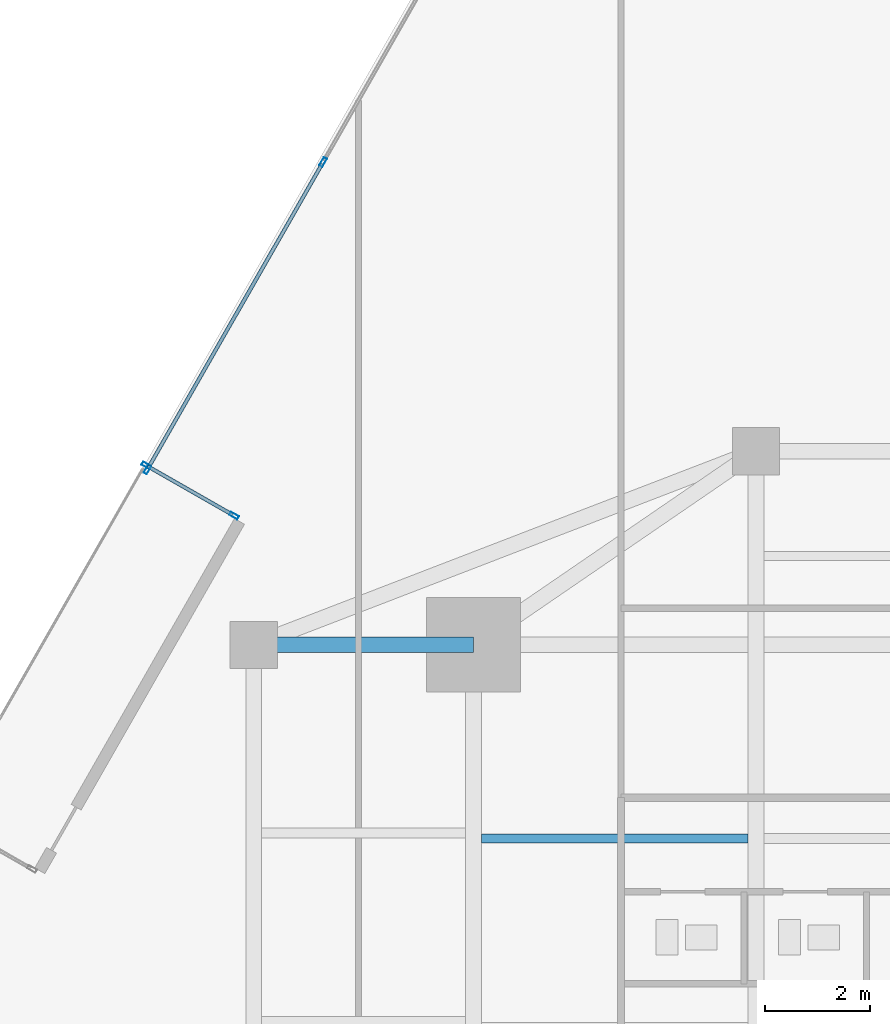
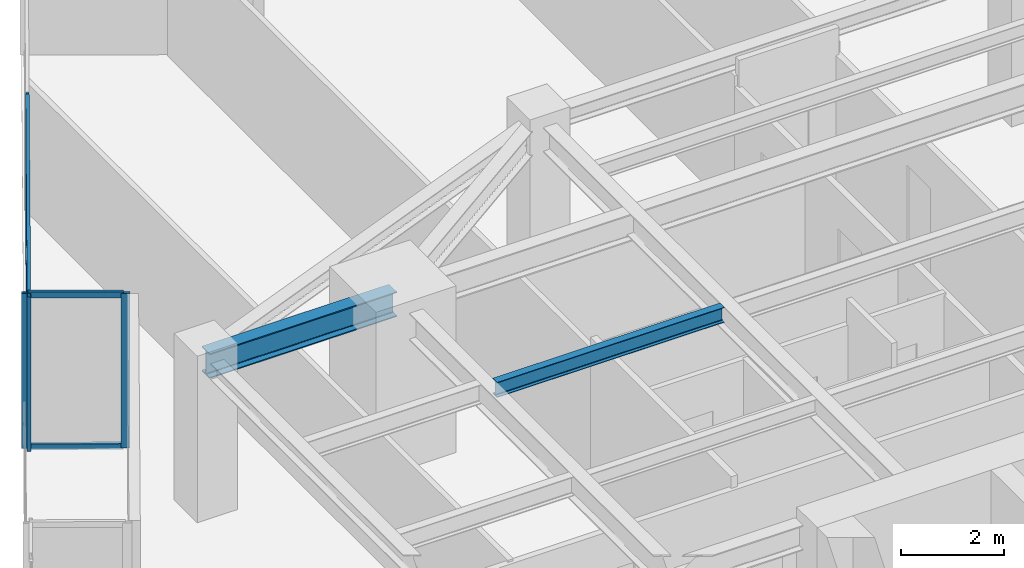
# One storey, part 13 of 24: 8 members, 2 beams, 2 elements without a shape of their own.
"""IFC4 building model written with IfcOpenShell, lengths in metres."""

from ifc_helpers import new_model, si_unit, direction, frame, origin, origin_2d, place, context, subcontext, project, spatial, hollow_rectangle, i_section, extrude, source, transform, mapped, material, material_profile, profile_set, type_object, type_shapes, element, aggregate, save


model = new_model("IFC4")

# Units and contexts
model_context = context("Model", 3, precision=1e-05, world=origin(), true_north=direction((0.0, 1.0)))
body_context = subcontext(model_context, "Body", "Model", "MODEL_VIEW")
ifc_project = project(units=[si_unit("LENGTHUNIT", "METRE"), si_unit("AREAUNIT", "SQUARE_METRE"), si_unit("VOLUMEUNIT", "CUBIC_METRE"), si_unit("PLANEANGLEUNIT", "RADIAN"), si_unit("MASSUNIT", "GRAM", prefix="KILO")], contexts=[model_context])

# Site, building, storey
site_placement = place(None, origin())
site = spatial("IfcSite", under=ifc_project, at=site_placement, CompositionType="ELEMENT")
building_placement = place(site_placement, origin())
building = spatial("IfcBuilding", under=site, at=building_placement, Name="Krantzveldt Concourse Tower", CompositionType="ELEMENT")
storey_placement = place(building_placement, frame((0.0, 0.0, 162.0)))
storey = spatial("IfcBuildingStorey", under=building, at=storey_placement, Name="L39", CompositionType="ELEMENT", Elevation=162.0)

# Beams
ifc_material_1 = material(Name="Steel S355JR", Category="steel")
ifc_material_profile_1 = material_profile(ifc_material_1, i_section(OverallWidth=0.300048828125, OverallDepth=0.590087890625, WebThickness=0.012939453125, FlangeThickness=0.02490234375, FilletRadius=0.027099609375, at=origin_2d()), Name="Steel S355JR", Category="steel")
ifc_profile_set_1 = profile_set([ifc_material_profile_1], Name="Steel S355JR - HEA 600")
beam_type_1 = type_object("IfcBeamType", Name="BM-B-HEA600", PredefinedType="BEAM", material=ifc_profile_set_1)
shared_shape_1 = source(origin(), body_context, "Body", "SweptSolid", [
    extrude(i_section(OverallWidth=0.300048828125, OverallDepth=0.590087890625, WebThickness=0.012939453125, FlangeThickness=0.02490234375, FilletRadius=0.027099609375, at=origin_2d()), origin(), (0.0, 0.0, 1.0), 4.199951171875),
])
type_shapes(beam_type_1, [shared_shape_1])
beam_1_placement = place(storey_placement, frame((21.0, 37.5, 3.375), z_axis=(1.0, 0.0, 0.0), x_axis=(0.0, 1.0, 0.0)))
element("IfcBeam", 1, at=beam_1_placement, inside=storey, type_object=beam_type_1, Name="L39 Tower Girder BR-RL3", PredefinedType="BEAM", context=body_context, shape_type="MappedRepresentation", body=[
    mapped(shared_shape_1, transform((0.0, 0.0, 0.0), x_axis=(1.0, 0.0, 0.0), y_axis=(0.0, 1.0, 0.0), z_axis=(0.0, 0.0, 1.0), scale=1.0)),
])
ifc_material_profile_2 = material_profile(ifc_material_1, i_section(OverallWidth=0.169921875, OverallDepth=0.360107421875, WebThickness=0.008056640625, FlangeThickness=0.0126953125, FilletRadius=0.01806640625, at=origin_2d()), Name="Steel S355JR", Category="steel")
ifc_profile_set_2 = profile_set([ifc_material_profile_2], Name="Steel S355JR - IPE 360")
beam_type_2 = type_object("IfcBeamType", Name="BM-J-IPE360", PredefinedType="JOIST", material=ifc_profile_set_2)
shared_shape_2 = source(origin(), body_context, "Body", "SweptSolid", [
    extrude(i_section(OverallWidth=0.169921875, OverallDepth=0.360107421875, WebThickness=0.008056640625, FlangeThickness=0.0126953125, FilletRadius=0.01806640625, at=origin_2d()), origin(), (0.0, 0.0, 1.0), 5.099853515625),
])
type_shapes(beam_type_2, [shared_shape_2])
beam_2_placement = place(storey_placement, frame((25.35009765625, 33.800048828125, 3.489990234375), z_axis=(1.0, 0.0, 0.0), x_axis=(0.0, 1.0, 0.0)))
element("IfcBeam", 2, at=beam_2_placement, inside=storey, type_object=beam_type_2, Name="L39 Secondary Floor Joist JN-W2", PredefinedType="JOIST", context=body_context, shape_type="MappedRepresentation", body=[
    mapped(shared_shape_2, transform((0.0, 0.0, 0.0), x_axis=(1.0, 0.0, 0.0), y_axis=(0.0, 1.0, 0.0), z_axis=(0.0, 0.0, 1.0), scale=1.0)),
])

# Curtain wall, members
ifc_material_2 = material(Name="Anodised aluminium 6063-T6", Category="aluminium")
curtain_wall_type_1 = type_object("IfcCurtainWallType", Name="CW3", PredefinedType="USERDEFINED", material=ifc_material_2)
curtain_wall_1_placement = place(storey_placement, origin())
curtain_wall_1 = element("IfcCurtainWall", 3, at=curtain_wall_1_placement, inside=storey, type_object=curtain_wall_type_1, Name="CW-L39-F01", ObjectType="UNITISED CURTAIN WALL", PredefinedType="USERDEFINED")
ifc_material_profile_3 = material_profile(ifc_material_2, hollow_rectangle(XDim=0.070068359375, YDim=0.179931640625, WallThickness=0.0048828125, at=origin_2d()), Name="Anodised aluminium 6063-T6", Category="aluminium")
ifc_profile_set_3 = profile_set([ifc_material_profile_3], Name="Anodised aluminium 6063-T6 - ALU-MULL 180x70x5")
member_type_1 = type_object("IfcMemberType", Name="CW-MUL-180", PredefinedType="MULLION", material=ifc_profile_set_3)
shared_shape_3 = source(origin(), body_context, "Body", "SweptSolid", [
    extrude(hollow_rectangle(XDim=0.070068359375, YDim=0.179931640625, WallThickness=0.0048828125, at=origin_2d()), origin(), (0.0, 0.0, 1.0), 3.669921875),
])
type_shapes(member_type_1, [shared_shape_3])
member_1_placement = place(storey_placement, frame((22.324462890625, 46.725341796875, 0.0), z_axis=(0.0, 0.0, 1.0), x_axis=(0.868198885255, -0.496216379861, 0.0)))
member_1 = element("IfcMember", 4, at=member_1_placement, type_object=member_type_1, Name="CW-Z34 mullion 2", PredefinedType="MULLION", context=body_context, shape_type="MappedRepresentation", body=[
    mapped(shared_shape_3, transform((0.0, 0.0, 0.0), x_axis=(1.0, 0.0, 0.0), y_axis=(0.0, 1.0, 0.0), z_axis=(0.0, 0.0, 1.0), scale=1.0)),
])
member_2_placement = place(storey_placement, frame((18.967529296875, 40.85205078125, 0.0), z_axis=(0.0, 0.0, 1.0), x_axis=(0.868198885255, -0.496216379861, 0.0)))
member_2 = element("IfcMember", 5, at=member_2_placement, type_object=member_type_1, Name="CW-Z34 mullion 3", PredefinedType="MULLION", context=body_context, shape_type="MappedRepresentation", body=[
    mapped(shared_shape_3, transform((0.0, 0.0, 0.0), x_axis=(1.0, 0.0, 0.0), y_axis=(0.0, 1.0, 0.0), z_axis=(0.0, 0.0, 1.0), scale=1.0)),
])

curtain_wall_type_2 = type_object("IfcCurtainWallType", Name="CW6", PredefinedType="USERDEFINED", material=ifc_material_2)
curtain_wall_2_placement = place(storey_placement, origin())
curtain_wall_2 = element("IfcCurtainWall", 6, at=curtain_wall_2_placement, inside=storey, type_object=curtain_wall_type_2, Name="CW-L39-TR02", ObjectType="UNITISED CURTAIN WALL", PredefinedType="USERDEFINED")
member_3_placement = place(storey_placement, frame((18.947021484375, 40.927001953125, 0.0), z_axis=(0.0, 0.0, 1.0), x_axis=(0.496218628357, 0.86819760013, 0.0)))
member_3 = element("IfcMember", 7, at=member_3_placement, type_object=member_type_1, Name="CW-TERR mullion 1", PredefinedType="MULLION", context=body_context, shape_type="MappedRepresentation", body=[
    mapped(shared_shape_3, transform((0.0, 0.0, 0.0), x_axis=(1.0, 0.0, 0.0), y_axis=(0.0, 1.0, 0.0), z_axis=(0.0, 0.0, 1.0), scale=1.0)),
])
member_4_placement = place(storey_placement, frame((20.622802734375, 39.969482421875, 0.0), z_axis=(0.0, 0.0, 1.0), x_axis=(0.496218628357, 0.86819760013, 0.0)))
member_4 = element("IfcMember", 8, at=member_4_placement, type_object=member_type_1, Name="CW-TERR mullion 2", PredefinedType="MULLION", context=body_context, shape_type="MappedRepresentation", body=[
    mapped(shared_shape_3, transform((0.0, 0.0, 0.0), x_axis=(1.0, 0.0, 0.0), y_axis=(0.0, 1.0, 0.0), z_axis=(0.0, 0.0, 1.0), scale=1.0)),
])
ifc_material_profile_4 = material_profile(ifc_material_2, hollow_rectangle(XDim=0.070068359375, YDim=0.139892578125, WallThickness=0.0048828125, at=origin_2d()), Name="Anodised aluminium 6063-T6", Category="aluminium")
ifc_profile_set_4 = profile_set([ifc_material_profile_4], Name="Anodised aluminium 6063-T6 - ALU-TRAN 140x70x5")
member_type_2 = type_object("IfcMemberType", Name="CW-TRN-150", PredefinedType="USERDEFINED", material=ifc_profile_set_4)
shared_shape_4 = source(origin(), body_context, "Body", "SweptSolid", [
    extrude(hollow_rectangle(XDim=0.070068359375, YDim=0.139892578125, WallThickness=0.0048828125, at=origin_2d()), origin(), (0.0, 0.0, 1.0), 1.85986328125),
])
member_5_placement = place(storey_placement, frame((18.9775390625, 40.90966796875, 0.034912109375), z_axis=(0.868210828001, -0.496195483799, 0.0), x_axis=(0.496195483799, 0.868210828001, 0.0)))
member_5 = element("IfcMember", 9, at=member_5_placement, type_object=member_type_2, Name="CW-TERR transom 1.1", ObjectType="TRANSOM", PredefinedType="USERDEFINED", context=body_context, shape_type="MappedRepresentation", body=[
    mapped(shared_shape_4, transform((0.0, 0.0, 0.0), x_axis=(1.0, 0.0, 0.0), y_axis=(0.0, 1.0, 0.0), z_axis=(0.0, 0.0, 1.0), scale=1.0)),
])
member_6_placement = place(storey_placement, frame((18.9775390625, 40.90966796875, 3.635009765625), z_axis=(0.868210828001, -0.496195483799, 0.0), x_axis=(0.496195483799, 0.868210828001, 0.0)))
member_6 = element("IfcMember", 10, at=member_6_placement, type_object=member_type_2, Name="CW-TERR transom 1.2", ObjectType="TRANSOM", PredefinedType="USERDEFINED", context=body_context, shape_type="MappedRepresentation", body=[
    mapped(shared_shape_4, transform((0.0, 0.0, 0.0), x_axis=(1.0, 0.0, 0.0), y_axis=(0.0, 1.0, 0.0), z_axis=(0.0, 0.0, 1.0), scale=1.0)),
])
aggregate(curtain_wall_2, [member_3, member_4, member_5, member_6])

# Member
shared_shape_5 = source(origin(), body_context, "Body", "SweptSolid", [
    extrude(hollow_rectangle(XDim=0.070068359375, YDim=0.139892578125, WallThickness=0.0048828125, at=origin_2d()), origin(), (0.0, 0.0, 1.0), 6.695068359375),
])
type_shapes(member_type_2, [shared_shape_4, shared_shape_5])
member_7_placement = place(storey_placement, frame((22.30712890625, 46.695068359375, 0.034912109375), z_axis=(-0.496217476605, -0.868198258413, 0.0), x_axis=(0.868198258413, -0.496217476605, 0.0)))
member_7 = element("IfcMember", 11, at=member_7_placement, type_object=member_type_2, Name="CW-Z34 transom 2.1", ObjectType="TRANSOM", PredefinedType="USERDEFINED", context=body_context, shape_type="MappedRepresentation", body=[
    mapped(shared_shape_5, transform((0.0, 0.0, 0.0), x_axis=(1.0, 0.0, 0.0), y_axis=(0.0, 1.0, 0.0), z_axis=(0.0, 0.0, 1.0), scale=1.0)),
])

member_8_placement = place(storey_placement, frame((22.30712890625, 46.695068359375, 3.635009765625), z_axis=(-0.496217476605, -0.868198258413, 0.0), x_axis=(0.868198258413, -0.496217476605, 0.0)))
member_8 = element("IfcMember", 12, at=member_8_placement, type_object=member_type_2, Name="CW-Z34 transom 2.2", ObjectType="TRANSOM", PredefinedType="USERDEFINED", context=body_context, shape_type="MappedRepresentation", body=[
    mapped(shared_shape_5, transform((0.0, 0.0, 0.0), x_axis=(1.0, 0.0, 0.0), y_axis=(0.0, 1.0, 0.0), z_axis=(0.0, 0.0, 1.0), scale=1.0)),
])

aggregate(curtain_wall_1, [member_1, member_2, member_7, member_8])

save(model, "model.ifc")
